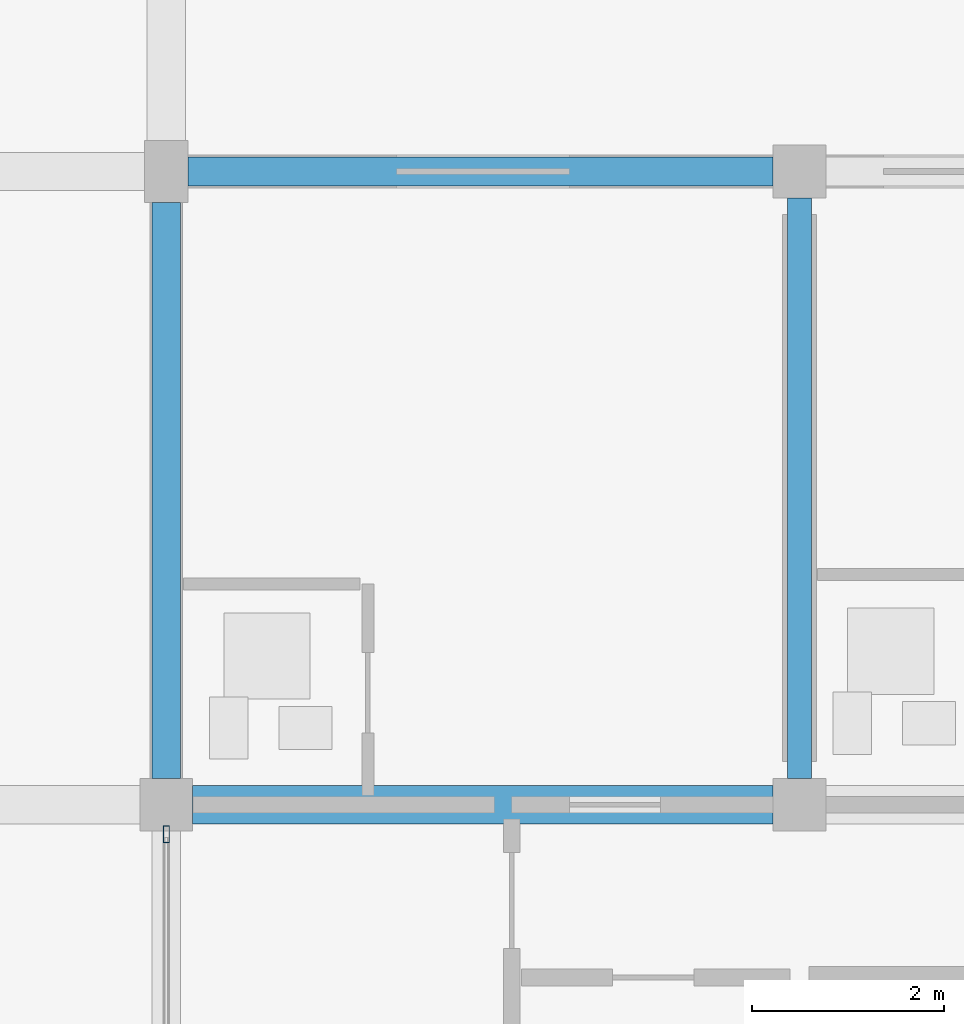
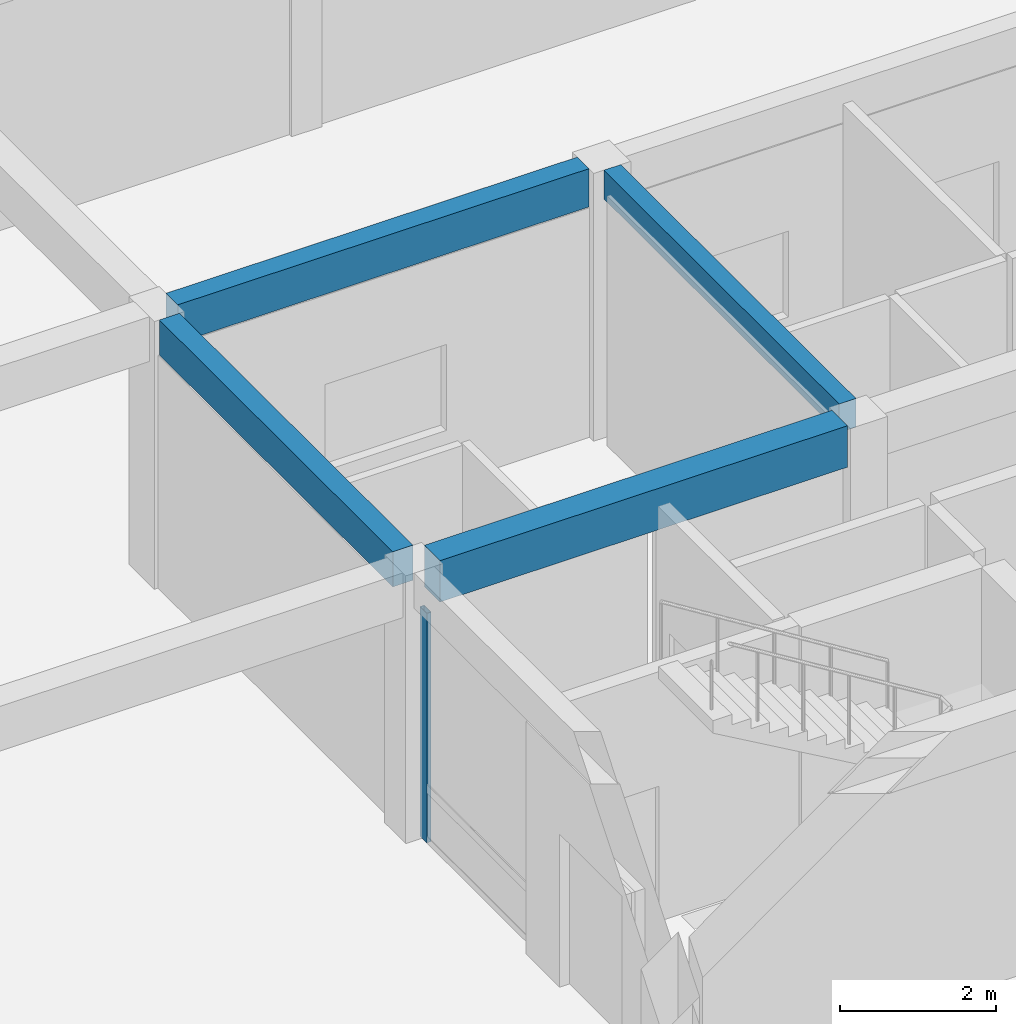
# One storey, part 36 of 75: 4 beams, 1 member, 1 element without a shape of its own.
"""IFC4 building model written with IfcOpenShell, lengths in metres."""

import ifcopenshell
import ifcopenshell.guid

model = None  # the IFC model being written
_history = None  # IfcOwnerHistory: only IFC2X3 demands one
_inside = {}  # id of a spatial element -> (the spatial element, [elements in it])
_under = {}  # id of a project, library or spatial element -> (it, [spatial elements below it])
_declared = {}  # id of a project -> (the project, [libraries it declares])
_typed = {}  # id of a type object -> (the type object, [elements of that type])
_made_of = {}  # id of a material, layer set ... -> (it, [elements and type objects made of it])


def new_model(schema):
    """Start an empty IFC model of exactly this schema.

    Asked for "IFC4X3", IfcOpenShell would pick the latest addendum, in which some entities
    have other attributes; the version numbers below select the first issue.
    IFC2X3 requires an IfcOwnerHistory on every rooted entity: one is made here for all.
    """
    global model, _history
    if schema == "IFC4X3":
        model = ifcopenshell.file(schema_version=(4, 3, 0, 0))
    else:
        model = ifcopenshell.file(schema=schema)
    _inside.clear()
    _under.clear()
    _declared.clear()
    _typed.clear()
    _made_of.clear()
    _history = None
    if model.schema == "IFC2X3":
        org = make("IfcOrganization", Name="unknown")
        user = make(
            "IfcPersonAndOrganization",
            ThePerson=make("IfcPerson", FamilyName="unknown"),
            TheOrganization=org,
        )
        app = make(
            "IfcApplication",
            ApplicationDeveloper=org,
            Version="unknown",
            ApplicationFullName="unknown",
            ApplicationIdentifier="unknown",
        )
        _history = make(
            "IfcOwnerHistory",
            OwningUser=user,
            OwningApplication=app,
            ChangeAction="ADDED",
            CreationDate=0,
        )
    return model


def make(cls, **values):
    """One entity of the class cls with the attributes given. An attribute that is None is left unset."""
    return model.create_entity(
        cls, **{name: value for name, value in values.items() if value is not None}
    )


def rooted(cls, **values):
    """An entity with a GlobalId (a new one), such as an element, a storey or a relation."""
    return make(cls, GlobalId=ifcopenshell.guid.new(), OwnerHistory=_history, **values)


def si_unit(unit_type, name, prefix=None):
    """IfcSIUnit, for example si_unit("LENGTHUNIT", "METRE", prefix="MILLI")."""
    return make("IfcSIUnit", UnitType=unit_type, Prefix=prefix, Name=name)


def assignment(units):
    """IfcUnitAssignment: the units of a project."""
    return None if units is None else make("IfcUnitAssignment", Units=units)


def point(xyz):
    """IfcCartesianPoint."""
    return None if xyz is None else make("IfcCartesianPoint", Coordinates=xyz)


def direction(xyz):
    """IfcDirection."""
    return None if xyz is None else make("IfcDirection", DirectionRatios=xyz)


def frame(location, z_axis=None, x_axis=None):
    """IfcAxis2Placement3D, a coordinate frame: its origin and axes. An axis left out is left unset."""
    return make(
        "IfcAxis2Placement3D",
        Location=point(location),
        Axis=direction(z_axis),
        RefDirection=direction(x_axis),
    )


def frame_2d(location, x_axis=None):
    """IfcAxis2Placement2D, a coordinate frame in the plane: its origin and x axis."""
    return make(
        "IfcAxis2Placement2D", Location=point(location), RefDirection=direction(x_axis)
    )


def origin():
    """The frame at (0, 0, 0) with its axes left unset."""
    return frame((0.0, 0.0, 0.0))


def origin_2d():
    """The frame at (0, 0) in the plane with its x axis left unset."""
    return frame_2d((0.0, 0.0))


def place(relative_to, where):
    """IfcLocalPlacement: puts the frame where relative to a parent placement (None: the world)."""
    return make(
        "IfcLocalPlacement", PlacementRelTo=relative_to, RelativePlacement=where
    )


def context(
    kind, dimensions, precision=None, world=None, true_north=None, identifier=None
):
    """IfcGeometricRepresentationContext, for example the 3D "Model" context."""
    return make(
        "IfcGeometricRepresentationContext",
        ContextIdentifier=identifier,
        ContextType=kind,
        CoordinateSpaceDimension=dimensions,
        Precision=precision,
        WorldCoordinateSystem=world,
        TrueNorth=true_north,
    )


def subcontext(parent, identifier, kind, view, scale=None):
    """IfcGeometricRepresentationSubContext, for example "Body" below "Model"."""
    return make(
        "IfcGeometricRepresentationSubContext",
        ContextIdentifier=identifier,
        ContextType=kind,
        ParentContext=parent,
        TargetScale=scale,
        TargetView=view,
    )


def project(units=None, contexts=None):
    """IfcProject with its units and contexts."""
    return rooted(
        "IfcProject",
        Name="project",
        RepresentationContexts=contexts,
        UnitsInContext=assignment(units),
    )


def spatial(cls, under=None, at=None, **own):
    """A site, building, storey or space (cls), placed at a placement, below another one or the project."""
    s = rooted(cls, ObjectPlacement=at, **own)
    if under is not None:
        _under.setdefault(under.id(), (under, []))[1].append(s)
    return s


def profile(cls, at=None, kind="AREA", **sizes):
    """A parametric profile (cls). Its sizes go by their IFC names, for example OverallWidth=200.0."""
    return make(cls, ProfileType=kind, Position=at, **sizes)


def rectangle(**sizes):
    """IfcRectangleProfileDef."""
    return profile("IfcRectangleProfileDef", **sizes)


def hollow_rectangle(**sizes):
    """IfcRectangleHollowProfileDef."""
    return profile("IfcRectangleHollowProfileDef", **sizes)


def extrude(swept, where, along, depth):
    """IfcExtrudedAreaSolid: the profile swept, set in the frame where, extruded along a direction by depth."""
    return make(
        "IfcExtrudedAreaSolid",
        SweptArea=swept,
        Position=where,
        ExtrudedDirection=direction(along),
        Depth=depth,
    )


def shape(context_of_items, identifier, shape_type, items):
    """IfcShapeRepresentation: the items that make up one representation, for example the "Body"."""
    return make(
        "IfcShapeRepresentation",
        ContextOfItems=context_of_items,
        RepresentationIdentifier=identifier,
        RepresentationType=shape_type,
        Items=items,
    )


def material(Name=None, Category=None):
    """IfcMaterial."""
    return make("IfcMaterial", Name=Name, Category=Category)


def material_profile(
    of_material, cross_section, Name=None, Category=None, Priority=None
):
    """IfcMaterialProfile: a cross section and its material."""
    return make(
        "IfcMaterialProfile",
        Name=Name,
        Material=of_material,
        Profile=cross_section,
        Priority=Priority,
        Category=Category,
    )


def profile_set(profiles, Name=None, composite=None):
    """IfcMaterialProfileSet."""
    return make(
        "IfcMaterialProfileSet",
        Name=Name,
        MaterialProfiles=profiles,
        CompositeProfile=composite,
    )


def made_of(thing, what):
    """Note that an element or type object is made of a material, layer set ...; save() writes the relation."""
    if what is not None:
        _made_of.setdefault(what.id(), (what, []))[1].append(thing)
    return thing


def type_object(cls, material=None, **own):
    """A type object (cls), such as IfcWallType, which elements share."""
    return made_of(rooted(cls, **own), material)


def element(
    cls,
    number,
    at=None,
    inside=None,
    cuts=None,
    type_object=None,
    material=None,
    context=None,
    identifier="Body",
    shape_type=None,
    held_by="IfcProductDefinitionShape",
    body=None,
    shapes=None,
    **own,
):
    """One element of the class cls, such as IfcWall. Its Tag is "e" and its number.

    at: its placement. inside: the storey or other place that contains it. cuts: it is an
    opening in that element (IfcRelVoidsElement). A single representation is given by context,
    identifier, shape_type and body (its items); several are given by shapes. held_by: the class
    of the entity that holds the representations. save() writes the other relations.
    """
    e = rooted(cls, Tag="e%d" % number, ObjectPlacement=at, **own)
    if body is not None:
        shapes = [shape(context, identifier, shape_type, body)]
    if shapes is not None:
        e.Representation = make(held_by, Representations=shapes)
    if inside is not None:
        _inside.setdefault(inside.id(), (inside, []))[1].append(e)
    if cuts is not None:
        rooted(
            "IfcRelVoidsElement", RelatingBuildingElement=cuts, RelatedOpeningElement=e
        )
    if type_object is not None:
        _typed.setdefault(type_object.id(), (type_object, []))[1].append(e)
    return made_of(e, material)


def aggregate(whole, parts):
    """IfcRelAggregates: a whole, such as a stair, and the parts it consists of."""
    return rooted("IfcRelAggregates", RelatingObject=whole, RelatedObjects=parts)


def save(model, path):
    """Write the relations noted so far, then the file.

    IfcRelAggregates (storeys below a building ...), IfcRelContainedInSpatialStructure (elements
    in a storey), IfcRelDefinesByType, IfcRelAssociatesMaterial and IfcRelDeclares: one each for
    every whole, place, type object, material and project.
    """
    for whole, parts in _under.values():
        aggregate(whole, parts)
    for where, things in _inside.values():
        rooted(
            "IfcRelContainedInSpatialStructure",
            RelatedElements=things,
            RelatingStructure=where,
        )
    for kind, things in _typed.values():
        rooted("IfcRelDefinesByType", RelatedObjects=things, RelatingType=kind)
    for what, things in _made_of.values():
        rooted("IfcRelAssociatesMaterial", RelatedObjects=things, RelatingMaterial=what)
    for by, libraries in _declared.values():
        rooted("IfcRelDeclares", RelatingContext=by, RelatedDefinitions=libraries)
    model.write(path)


model = new_model("IFC4")

# Units and contexts
model_context = context("Model", 3, precision=1e-05, world=origin(), true_north=direction((0.0, 1.0)))
body_context = subcontext(model_context, "Body", "Model", "MODEL_VIEW")
ifc_project = project(units=[si_unit("LENGTHUNIT", "METRE"), si_unit("AREAUNIT", "SQUARE_METRE"), si_unit("VOLUMEUNIT", "CUBIC_METRE"), si_unit("PLANEANGLEUNIT", "RADIAN"), si_unit("MASSUNIT", "GRAM", prefix="KILO")], contexts=[model_context])

# Site, building, storey
site_placement = place(None, origin())
site = spatial("IfcSite", under=ifc_project, at=site_placement, CompositionType="ELEMENT")
building_placement = place(site_placement, origin())
building = spatial("IfcBuilding", under=site, at=building_placement, Name="Kernevlak Ridge Housing Community", CompositionType="ELEMENT")
storey_placement = place(building_placement, origin())
storey = spatial("IfcBuildingStorey", under=building, at=storey_placement, Name="L00", CompositionType="ELEMENT", Elevation=0.0)

# Beams
ifc_material_1 = material(Name="Concrete C35/45", Category="concrete")
ifc_material_profile_1 = material_profile(ifc_material_1, rectangle(XDim=0.39990234375, YDim=0.64990234375, at=origin_2d()), Name="RC 400x650")
ifc_profile_set_1 = profile_set([ifc_material_profile_1], Name="Concrete C35/45")
beam_type_1 = type_object("IfcBeamType", Name="B-03", PredefinedType="T_BEAM", material=ifc_profile_set_1)
beam_1_placement = place(storey_placement, frame((119.675048828125, 95.800048828125, 3.875), z_axis=(1.0, 0.0, 0.0), x_axis=(0.0, 1.0, 0.0)))
element("IfcBeam", 1, at=beam_1_placement, inside=storey, type_object=beam_type_1, Name="Beam B-03 L00 567", PredefinedType="T_BEAM", context=body_context, shape_type="SweptSolid", body=[
    extrude(rectangle(XDim=0.39990234375, YDim=0.64990234375, at=origin_2d()), origin(), (0.0, 0.0, 1.0), 6.050048828125),
])
ifc_material_profile_2 = material_profile(ifc_material_1, rectangle(XDim=0.25, YDim=0.449951171875, at=origin_2d()), Name="RC 250x450")
ifc_profile_set_2 = profile_set([ifc_material_profile_2], Name="Concrete C35/45")
beam_type_2 = type_object("IfcBeamType", Name="B-04", PredefinedType="T_BEAM", material=ifc_profile_set_2)
beam_2_placement = place(storey_placement, frame((126.0, 96.074951171875, 3.97509765625), z_axis=(0.0, 1.0, 0.0), x_axis=(-1.0, 0.0, 0.0)))
element("IfcBeam", 2, at=beam_2_placement, inside=storey, type_object=beam_type_2, Name="Beam B-04 L00 581", PredefinedType="T_BEAM", context=body_context, shape_type="SweptSolid", body=[
    extrude(rectangle(XDim=0.25, YDim=0.449951171875, at=origin_2d()), origin(), (0.0, 0.0, 1.0), 6.050048828125),
])

# Curtain wall, member
ifc_material_2 = material(Name="Aluminium EN AW-6060 anodised and laminated glass", Category="aluminium")
curtain_wall_type = type_object("IfcCurtainWallType", Name="CW-10", PredefinedType="NOTDEFINED", material=ifc_material_2)
curtain_wall_placement = place(storey_placement, origin())
curtain_wall = element("IfcCurtainWall", 3, at=curtain_wall_placement, inside=storey, type_object=curtain_wall_type, Name="Curtain wall CW-10 CW-L00-056", PredefinedType="NOTDEFINED")
ifc_material_3 = material(Name="Aluminium EN AW-6060 anodised", Category="aluminium")
ifc_material_profile_3 = material_profile(ifc_material_3, hollow_rectangle(XDim=0.06494140625, YDim=0.179931640625, WallThickness=0.00439453125, InnerFilletRadius=0.001953125, OuterFilletRadius=0.00439453125, at=origin_2d()), Name="ALU 65x180x4.5")
ifc_profile_set_3 = profile_set([ifc_material_profile_3], Name="Aluminium EN AW-6060 anodised")
member_type = type_object("IfcMemberType", Name="MU-03", PredefinedType="MULLION", material=ifc_profile_set_3)
member_placement = place(storey_placement, frame((119.39990234375, 95.492431640625, 0.0), z_axis=(0.0, 0.0, 1.0), x_axis=(-1.0, 0.0, 0.0)))
member = element("IfcMember", 4, at=member_placement, type_object=member_type, Name="CW-10 mullion 2", PredefinedType="MULLION", context=body_context, shape_type="SweptSolid", body=[
    extrude(hollow_rectangle(XDim=0.06494140625, YDim=0.179931640625, WallThickness=0.00439453125, InnerFilletRadius=0.001953125, OuterFilletRadius=0.00439453125, at=origin_2d()), origin(), (0.0, 0.0, 1.0), 3.60009765625),
])
aggregate(curtain_wall, [member])

# Beams
ifc_material_profile_4 = material_profile(ifc_material_1, rectangle(XDim=0.300048828125, YDim=0.550048828125, at=origin_2d()), Name="RC 300x550")
ifc_profile_set_4 = profile_set([ifc_material_profile_4], Name="Concrete C35/45")
beam_type_3 = type_object("IfcBeamType", Name="SP-01", PredefinedType="SPANDREL", material=ifc_profile_set_4)
beam_3_placement = place(storey_placement, frame((119.39990234375, 96.074951171875, 3.925048828125), z_axis=(0.0, 1.0, 0.0), x_axis=(-1.0, 0.0, 0.0)))
element("IfcBeam", 5, at=beam_3_placement, inside=storey, type_object=beam_type_3, Name="Beam SP-01 L00 579", PredefinedType="SPANDREL", context=body_context, shape_type="SweptSolid", body=[
    extrude(rectangle(XDim=0.300048828125, YDim=0.550048828125, at=origin_2d()), origin(), (0.0, 0.0, 1.0), 6.0),
])
ifc_material_profile_5 = material_profile(ifc_material_1, rectangle(XDim=0.300048828125, YDim=0.60009765625, at=origin_2d()), Name="RC 300x600")
ifc_profile_set_5 = profile_set([ifc_material_profile_5], Name="Concrete C35/45")
beam_type_4 = type_object("IfcBeamType", Name="SP-02", PredefinedType="SPANDREL", material=ifc_profile_set_5)
beam_4_placement = place(storey_placement, frame((119.625, 102.39990234375, 3.89990234375), z_axis=(1.0, 0.0, 0.0), x_axis=(0.0, 1.0, 0.0)))
element("IfcBeam", 6, at=beam_4_placement, inside=storey, type_object=beam_type_4, Name="Beam SP-02 L00 572", PredefinedType="SPANDREL", context=body_context, shape_type="SweptSolid", body=[
    extrude(rectangle(XDim=0.300048828125, YDim=0.60009765625, at=origin_2d()), origin(), (0.0, 0.0, 1.0), 6.10009765625),
])

save(model, "model.ifc")
